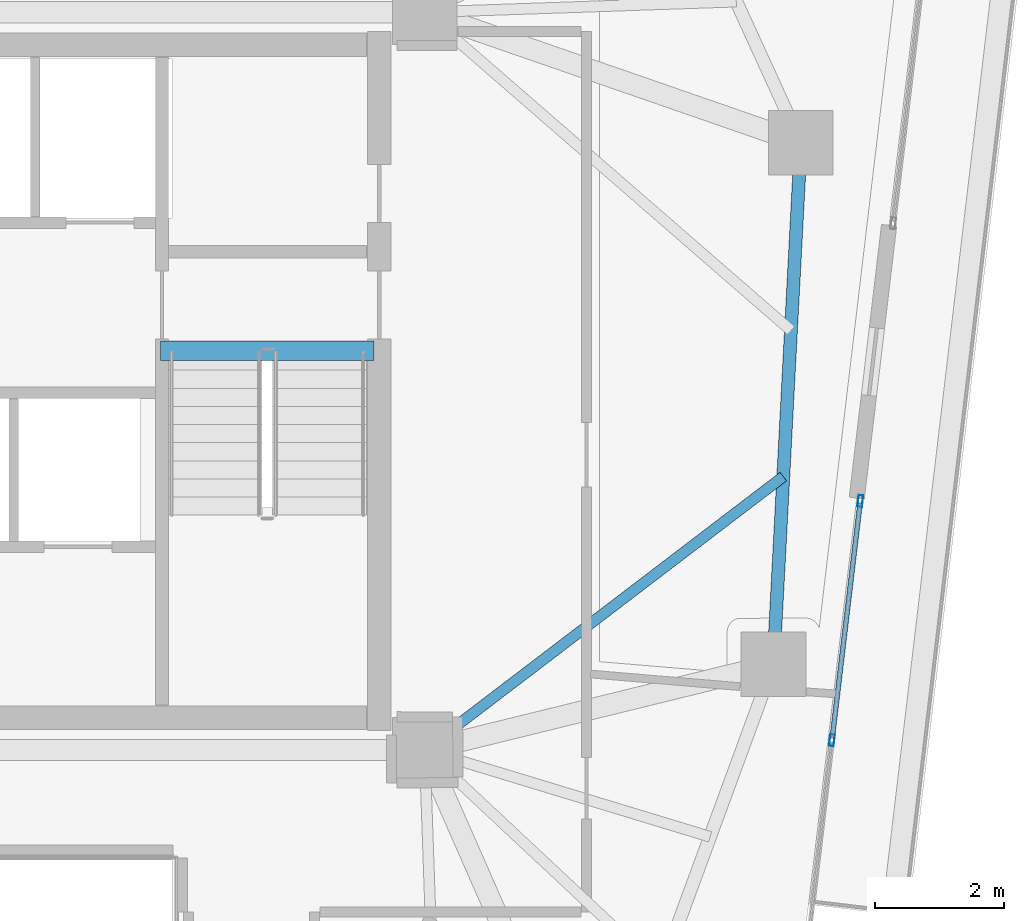
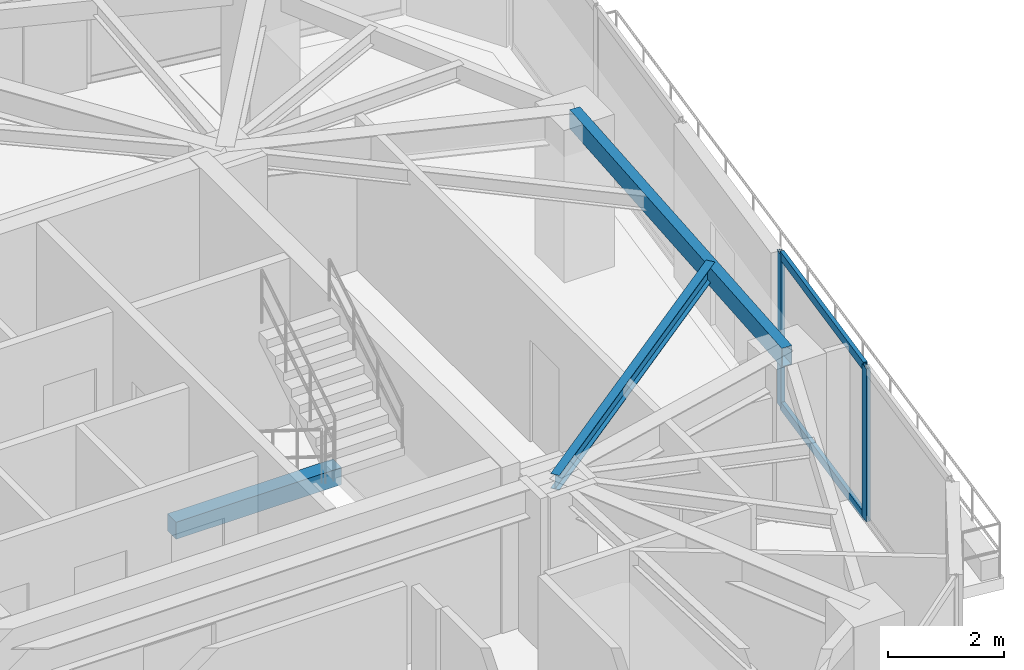
# One storey, part 11 of 22: 4 members, 3 beams, 1 element without a shape of its own.
"""IFC4 building model written with IfcOpenShell, lengths in metres."""

from ifc_helpers import new_model, si_unit, direction, frame, origin, origin_2d, place, context, subcontext, project, spatial, rectangle, hollow_rectangle, i_section, extrude, source, transform, mapped, material, layer, layer_set, material_profile, profile_set, type_object, type_shapes, element, aggregate, save


model = new_model("IFC4")

# Units and contexts
model_context = context("Model", 3, precision=1e-05, world=origin(), true_north=direction((0.0, 1.0)))
body_context = subcontext(model_context, "Body", "Model", "MODEL_VIEW")
ifc_project = project(units=[si_unit("LENGTHUNIT", "METRE"), si_unit("AREAUNIT", "SQUARE_METRE"), si_unit("VOLUMEUNIT", "CUBIC_METRE"), si_unit("PLANEANGLEUNIT", "RADIAN"), si_unit("MASSUNIT", "GRAM", prefix="KILO")], contexts=[model_context])

# Site, building, storey
site_placement = place(None, origin())
site = spatial("IfcSite", under=ifc_project, at=site_placement, CompositionType="ELEMENT")
building_placement = place(site_placement, origin())
building = spatial("IfcBuilding", under=site, at=building_placement, Name="Talar Marvaseh", CompositionType="ELEMENT")
storey_placement = place(building_placement, frame((0.0, 0.0, 208.199951171875)))
storey = spatial("IfcBuildingStorey", under=building, at=storey_placement, Name="L54", CompositionType="ELEMENT", Elevation=208.199951171875)

# Beams
ifc_material_1 = material(Name="Concrete C40/50", Category="concrete")
ifc_material_profile_1 = material_profile(ifc_material_1, rectangle(XDim=0.300048828125, YDim=0.360107421875, at=origin_2d()), Name="RC300x360")
ifc_profile_set_1 = profile_set([ifc_material_profile_1], Name="Concrete C40/50")
beam_type_1 = type_object("IfcBeamType", Name="Concrete Stair Landing Trimmer Beam RC300x360", PredefinedType="SPANDREL", material=ifc_profile_set_1)
beam_1_placement = place(storey_placement, frame((29.219970703125, 31.669921875, -0.179931640625), z_axis=(1.0, 0.0, 0.0), x_axis=(0.0, 1.0, 0.0)))
element("IfcBeam", 1, at=beam_1_placement, inside=storey, type_object=beam_type_1, Name="L54 ST-2 Stair Nosing Trimmer Beam", PredefinedType="SPANDREL", context=body_context, shape_type="SweptSolid", body=[
    extrude(rectangle(XDim=0.300048828125, YDim=0.360107421875, at=origin_2d()), origin(), (0.0, 0.0, 1.0), 3.300048828125),
])
ifc_material_2 = material(Name="Steel S355", Category="steel")
ifc_material_profile_2 = material_profile(ifc_material_2, hollow_rectangle(XDim=0.199951171875, YDim=0.39990234375, WallThickness=0.013916015625, at=origin_2d()), Name="RHS400x200x14")
ifc_profile_set_2 = profile_set([ifc_material_profile_2], Name="Steel S355")
beam_type_2 = type_object("IfcBeamType", Name="Zone 3 Perimeter Spandrel Beam RHS400x200x14", PredefinedType="SPANDREL", material=ifc_profile_set_2)
beam_2_placement = place(storey_placement, frame((39.113037109375, 34.884033203125, 3.030029296875), z_axis=(-0.052541369293, -0.998618748328, 0.0), x_axis=(0.998618748328, -0.052541369293, 0.0)))
element("IfcBeam", 2, at=beam_2_placement, inside=storey, type_object=beam_type_2, Name="L54 Zone 3 Perimeter Spandrel Beam RHS400x200x14", PredefinedType="SPANDREL", context=body_context, shape_type="SweptSolid", body=[
    extrude(hollow_rectangle(XDim=0.199951171875, YDim=0.39990234375, WallThickness=0.013916015625, at=origin_2d()), origin(), (0.0, 0.0, 1.0), 8.0712890625),
])
ifc_material_profile_3 = material_profile(ifc_material_2, i_section(OverallWidth=0.166015625, OverallDepth=0.31298828125, WebThickness=0.006591796875, FlangeThickness=0.01123046875, at=origin_2d()), Name="W310x45")
ifc_profile_set_3 = profile_set([ifc_material_profile_3], Name="Steel S355")
beam_type_3 = type_object("IfcBeamType", Name="Zone 3 Secondary Floor Joist W310x45", PredefinedType="JOIST", material=ifc_profile_set_3)
beam_3_placement = place(storey_placement, frame((38.841552734375, 29.7255859375, 3.073486328125), z_axis=(-0.795190393297, -0.606359825852, 0.0), x_axis=(0.606359825852, -0.795190393297, 0.0)))
element("IfcBeam", 3, at=beam_3_placement, inside=storey, type_object=beam_type_3, Name="L54 Zone 3 Secondary Floor Joist W310x45", PredefinedType="JOIST", context=body_context, shape_type="SweptSolid", body=[
    extrude(i_section(OverallWidth=0.166015625, OverallDepth=0.31298828125, WebThickness=0.006591796875, FlangeThickness=0.01123046875, at=origin_2d()), origin(), (0.0, 0.0, 1.0), 6.96875),
])

# Curtain wall, members
ifc_material_3 = material(Name="Architectural Aluminium", Category="aluminium")
ifc_layer = layer(ifc_material_3, 0.18994140625)
ifc_layer_set = layer_set([ifc_layer], Name="Architectural Aluminium")
curtain_wall_type = type_object("IfcCurtainWallType", Name="Unitised Solar Atelier Curtain Wall Z3", PredefinedType="NOTDEFINED", material=ifc_layer_set)
curtain_wall_placement = place(storey_placement, origin())
curtain_wall = element("IfcCurtainWall", 4, at=curtain_wall_placement, inside=storey, type_object=curtain_wall_type, Name="L54 Unitised Solar Atelier Curtain Wall Z3", PredefinedType="NOTDEFINED")
ifc_material_profile_4 = material_profile(ifc_material_3, hollow_rectangle(XDim=0.074951171875, YDim=0.179931640625, WallThickness=0.0048828125, at=origin_2d()), Name="RHS180x75x5")
ifc_profile_set_4 = profile_set([ifc_material_profile_4], Name="Architectural Aluminium")
member_type_1 = type_object("IfcMemberType", Name="Unitised Curtain Wall Standard Mullion RHS180x75x5", PredefinedType="MULLION", material=ifc_profile_set_4)
shared_shape_1 = source(origin(), body_context, "Body", "SweptSolid", [
    extrude(hollow_rectangle(XDim=0.074951171875, YDim=0.179931640625, WallThickness=0.0048828125, at=origin_2d()), origin(), (0.0, 0.0, 1.0), 3.22998046875),
])
type_shapes(member_type_1, [shared_shape_1])
member_1_placement = place(storey_placement, frame((40.0322265625, 29.348876953125, 0.0), z_axis=(0.0, 0.0, 1.0), x_axis=(0.993050517361, -0.117688869355, 0.0)))
member_1 = element("IfcMember", 5, at=member_1_placement, type_object=member_type_1, Name="CW-Z3 mullion 1", PredefinedType="MULLION", context=body_context, shape_type="MappedRepresentation", body=[
    mapped(shared_shape_1, transform((0.0, 0.0, 0.0), x_axis=(1.0, 0.0, 0.0), y_axis=(0.0, 1.0, 0.0), z_axis=(0.0, 0.0, 1.0), scale=1.0)),
])
member_2_placement = place(storey_placement, frame((39.593994140625, 25.651123046875, 0.0), z_axis=(0.0, 0.0, 1.0), x_axis=(0.993050517361, -0.117688869355, 0.0)))
member_2 = element("IfcMember", 6, at=member_2_placement, type_object=member_type_1, Name="CW-Z3 mullion 2", PredefinedType="MULLION", context=body_context, shape_type="MappedRepresentation", body=[
    mapped(shared_shape_1, transform((0.0, 0.0, 0.0), x_axis=(1.0, 0.0, 0.0), y_axis=(0.0, 1.0, 0.0), z_axis=(0.0, 0.0, 1.0), scale=1.0)),
])
ifc_material_profile_5 = material_profile(ifc_material_3, hollow_rectangle(XDim=0.074951171875, YDim=0.179931640625, WallThickness=0.0048828125, at=origin_2d()), Name="RHS180x75x5")
ifc_profile_set_5 = profile_set([ifc_material_profile_5], Name="Architectural Aluminium")
member_type_2 = type_object("IfcMemberType", Name="Unitised Curtain Wall Transom RHS180x75x5", PredefinedType="USERDEFINED", material=ifc_profile_set_5)
shared_shape_2 = source(origin(), body_context, "Body", "SweptSolid", [
    extrude(hollow_rectangle(XDim=0.074951171875, YDim=0.179931640625, WallThickness=0.0048828125, at=origin_2d()), origin(), (0.0, 0.0, 1.0), 3.648681640625),
])
type_shapes(member_type_2, [shared_shape_2])
member_3_placement = place(storey_placement, frame((40.02783203125, 29.3115234375, 0.03759765625), z_axis=(-0.117699191972, -0.993049293947, 0.0), x_axis=(0.993049293947, -0.117699191972, 0.0)))
member_3 = element("IfcMember", 7, at=member_3_placement, type_object=member_type_2, Name="CW-Z3 transom 1.1", ObjectType="TRANSOM", PredefinedType="USERDEFINED", context=body_context, shape_type="MappedRepresentation", body=[
    mapped(shared_shape_2, transform((0.0, 0.0, 0.0), x_axis=(1.0, 0.0, 0.0), y_axis=(0.0, 1.0, 0.0), z_axis=(0.0, 0.0, 1.0), scale=1.0)),
])
member_4_placement = place(storey_placement, frame((40.02783203125, 29.3115234375, 3.192626953125), z_axis=(-0.117699191972, -0.993049293947, 0.0), x_axis=(0.993049293947, -0.117699191972, 0.0)))
member_4 = element("IfcMember", 8, at=member_4_placement, type_object=member_type_2, Name="CW-Z3 transom 1.2", ObjectType="TRANSOM", PredefinedType="USERDEFINED", context=body_context, shape_type="MappedRepresentation", body=[
    mapped(shared_shape_2, transform((0.0, 0.0, 0.0), x_axis=(1.0, 0.0, 0.0), y_axis=(0.0, 1.0, 0.0), z_axis=(0.0, 0.0, 1.0), scale=1.0)),
])
aggregate(curtain_wall, [member_1, member_2, member_3, member_4])

save(model, "model.ifc")
